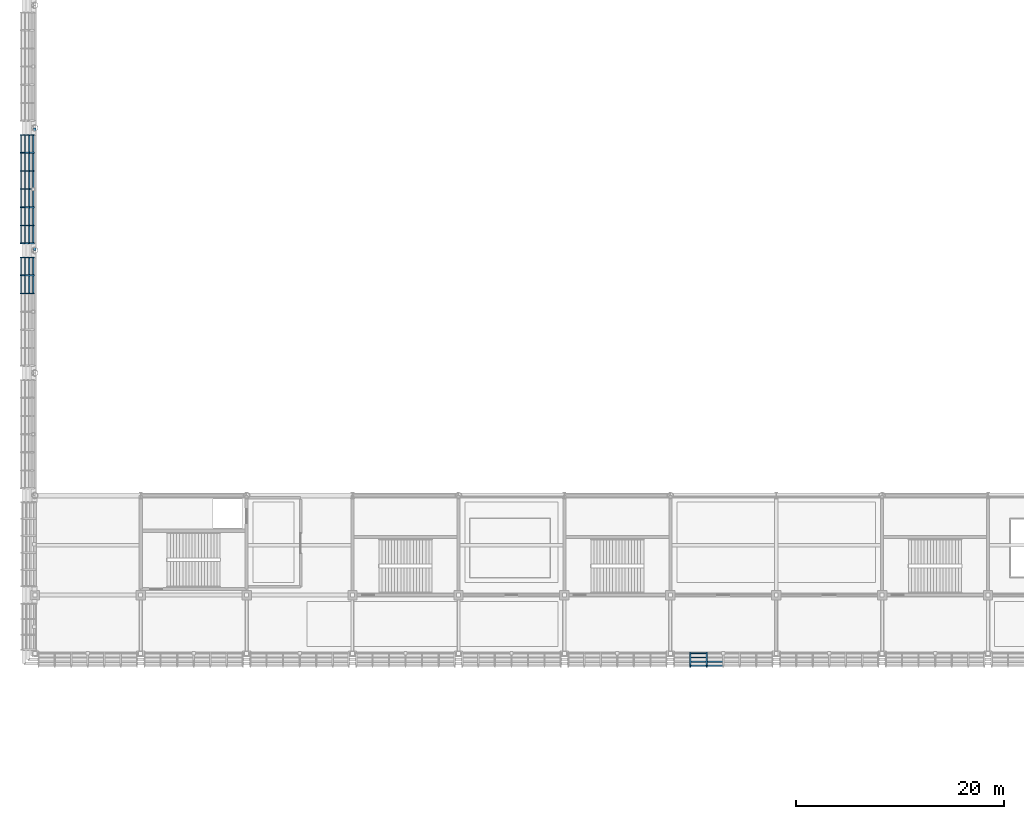
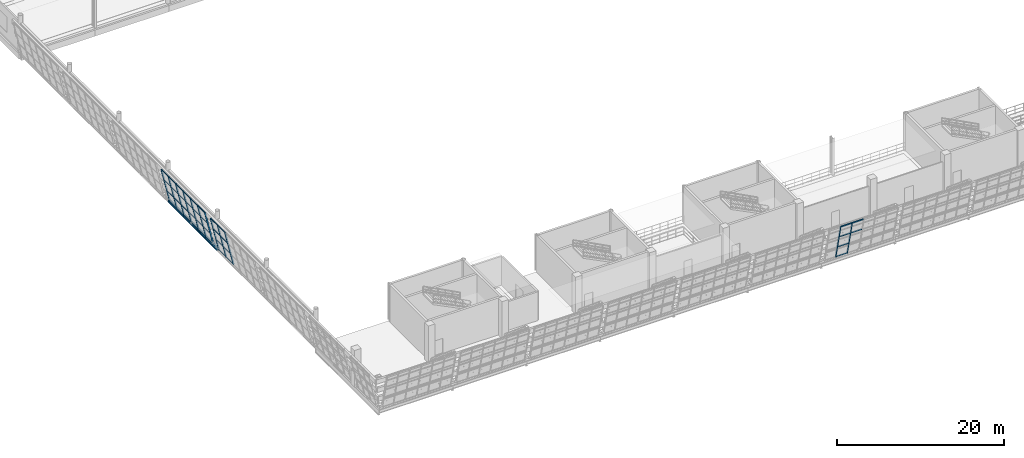
# One storey, part 27 of 175: 50 members, 1 beam, 3 elements without a shape of their own.
"""IFC4 building model written with IfcOpenShell, lengths in metres."""

from ifc_helpers import new_model, si_unit, direction, frame, origin, origin_2d, place, context, subcontext, project, spatial, hollow_rectangle, i_section, extrude, material, material_profile, profile_set, type_object, element, aggregate, save


model = new_model("IFC4")

# Units and contexts
model_context = context("Model", 3, precision=1e-05, world=origin(), true_north=direction((0.0, 1.0)))
body_context = subcontext(model_context, "Body", "Model", "MODEL_VIEW")
ifc_project = project(units=[si_unit("LENGTHUNIT", "METRE"), si_unit("AREAUNIT", "SQUARE_METRE"), si_unit("VOLUMEUNIT", "CUBIC_METRE"), si_unit("PLANEANGLEUNIT", "RADIAN"), si_unit("MASSUNIT", "GRAM", prefix="KILO")], contexts=[model_context])

# Site, building, storey
site_placement = place(None, origin())
site = spatial("IfcSite", under=ifc_project, at=site_placement, CompositionType="ELEMENT")
building_placement = place(site_placement, origin())
building = spatial("IfcBuilding", under=site, at=building_placement, Name="Brelvane Convention Centre", CompositionType="ELEMENT")
storey_placement = place(building_placement, frame((0.0, 0.0, 5.39990234375)))
storey = spatial("IfcBuildingStorey", under=building, at=storey_placement, Name="L01", CompositionType="ELEMENT", Elevation=5.39990234375)

# Curtain wall, members
ifc_material_1 = material(Name="Anodised Aluminium Alloy 6063-T6", Category="aluminium")
curtain_wall_type = type_object("IfcCurtainWallType", Name="Curtain Wall CW-HULL-S", PredefinedType="USERDEFINED", material=ifc_material_1)
curtain_wall_1_placement = place(storey_placement, origin())
curtain_wall_1 = element("IfcCurtainWall", 1, at=curtain_wall_1_placement, inside=storey, type_object=curtain_wall_type, Name="Curtain Wall CW-HULL-S L01-HULL-S-L01-07", ObjectType="UNITISED", PredefinedType="USERDEFINED")
ifc_material_2 = material(Name="Anodised Aluminium Alloy 6063-T6", Category="aluminium")
ifc_material_profile_1 = material_profile(ifc_material_2, hollow_rectangle(XDim=0.080078125, YDim=0.239990234375, WallThickness=0.006103515625, InnerFilletRadius=0.006103515625, OuterFilletRadius=0.011962890625, at=origin_2d()), Name="ALU-M 240x80x6.0")
ifc_profile_set_1 = profile_set([ifc_material_profile_1], Name="Anodised Aluminium Alloy 6063-T6")
member_type_1 = type_object("IfcMemberType", Name="Curtain Mullion CW-M1", PredefinedType="MULLION", material=ifc_profile_set_1)
member_1_placement = place(storey_placement, frame((63.11328125, 13.60009765625, 0.0), z_axis=(0.0, -0.228360162456, 0.973576723326), x_axis=(1.0, 0.0, 0.0)))
member_1 = element("IfcMember", 2, at=member_1_placement, type_object=member_type_1, Name="CW-HULL-S mullion 2", PredefinedType="MULLION", context=body_context, shape_type="SweptSolid", body=[
    extrude(hollow_rectangle(XDim=0.080078125, YDim=0.239990234375, WallThickness=0.006103515625, InnerFilletRadius=0.006103515625, OuterFilletRadius=0.011962890625, at=origin_2d()), origin(), (0.0, 0.0, 1.0), 5.2900390625),
])
member_2_placement = place(storey_placement, frame((64.706787109375, 13.60009765625, 0.0), z_axis=(0.0, -0.228360162456, 0.973576723326), x_axis=(1.0, 0.0, 0.0)))
member_2 = element("IfcMember", 3, at=member_2_placement, type_object=member_type_1, Name="CW-HULL-S mullion 3", PredefinedType="MULLION", context=body_context, shape_type="SweptSolid", body=[
    extrude(hollow_rectangle(XDim=0.080078125, YDim=0.239990234375, WallThickness=0.006103515625, InnerFilletRadius=0.006103515625, OuterFilletRadius=0.011962890625, at=origin_2d()), origin(), (0.0, 0.0, 1.0), 5.2900390625),
])

curtain_wall_2_placement = place(storey_placement, origin())
curtain_wall_2 = element("IfcCurtainWall", 4, at=curtain_wall_2_placement, inside=storey, type_object=curtain_wall_type, Name="Curtain Wall CW-HULL-S L01-HULL-W-L01-2", ObjectType="UNITISED", PredefinedType="USERDEFINED")
ifc_material_3 = material(Name="Anodised Aluminium Alloy 6063-T6", Category="aluminium")
ifc_material_profile_2 = material_profile(ifc_material_3, hollow_rectangle(XDim=0.074951171875, YDim=0.199951171875, WallThickness=0.0048828125, InnerFilletRadius=0.0048828125, OuterFilletRadius=0.010009765625, at=origin_2d()), Name="ALU-M 200x75x5.0")
ifc_profile_set_2 = profile_set([ifc_material_profile_2], Name="Anodised Aluminium Alloy 6063-T6")
member_type_2 = type_object("IfcMemberType", Name="Curtain Mullion CW-M2", PredefinedType="MULLION", material=ifc_profile_set_2)
member_3_placement = place(storey_placement, frame((-0.139892578125, 48.25, 0.02001953125), z_axis=(-0.228384734386, 0.0, 0.973570959458), x_axis=(0.0, -1.0, 0.0)))
member_3 = element("IfcMember", 5, at=member_3_placement, type_object=member_type_2, Name="CW-HULL-S mullion 5", PredefinedType="MULLION", context=body_context, shape_type="SweptSolid", body=[
    extrude(hollow_rectangle(XDim=0.074951171875, YDim=0.199951171875, WallThickness=0.0048828125, InnerFilletRadius=0.0048828125, OuterFilletRadius=0.010009765625, at=origin_2d()), origin(), (0.0, 0.0, 1.0), 5.197509765625),
])
member_4_placement = place(storey_placement, frame((-0.139892578125, 50.0, 0.02001953125), z_axis=(-0.228384734386, 0.0, 0.973570959458), x_axis=(0.0, -1.0, 0.0)))
member_4 = element("IfcMember", 6, at=member_4_placement, type_object=member_type_2, Name="CW-HULL-S mullion 6", PredefinedType="MULLION", context=body_context, shape_type="SweptSolid", body=[
    extrude(hollow_rectangle(XDim=0.074951171875, YDim=0.199951171875, WallThickness=0.0048828125, InnerFilletRadius=0.0048828125, OuterFilletRadius=0.010009765625, at=origin_2d()), origin(), (0.0, 0.0, 1.0), 5.197509765625),
])
member_5_placement = place(storey_placement, frame((-0.139892578125, 51.71240234375, 0.02001953125), z_axis=(-0.228384734386, 0.0, 0.973570959458), x_axis=(0.0, -1.0, 0.0)))
member_5 = element("IfcMember", 7, at=member_5_placement, type_object=member_type_2, Name="CW-HULL-S mullion 7", PredefinedType="MULLION", context=body_context, shape_type="SweptSolid", body=[
    extrude(hollow_rectangle(XDim=0.074951171875, YDim=0.199951171875, WallThickness=0.0048828125, InnerFilletRadius=0.0048828125, OuterFilletRadius=0.010009765625, at=origin_2d()), origin(), (0.0, 0.0, 1.0), 5.197509765625),
])

curtain_wall_3_placement = place(storey_placement, origin())
curtain_wall_3 = element("IfcCurtainWall", 8, at=curtain_wall_3_placement, inside=storey, type_object=curtain_wall_type, Name="Curtain Wall CW-HULL-S L01-HULL-W-L01-3", ObjectType="UNITISED", PredefinedType="USERDEFINED")
member_6_placement = place(storey_placement, frame((-0.139892578125, 53.08740234375, 0.02001953125), z_axis=(-0.228384734386, 0.0, 0.973570959458), x_axis=(0.0, -1.0, 0.0)))
member_6 = element("IfcMember", 9, at=member_6_placement, type_object=member_type_2, Name="CW-HULL-S mullion 1", PredefinedType="MULLION", context=body_context, shape_type="SweptSolid", body=[
    extrude(hollow_rectangle(XDim=0.074951171875, YDim=0.199951171875, WallThickness=0.0048828125, InnerFilletRadius=0.0048828125, OuterFilletRadius=0.010009765625, at=origin_2d()), origin(), (0.0, 0.0, 1.0), 5.197509765625),
])
member_7_placement = place(storey_placement, frame((-0.139892578125, 54.800048828125, 0.02001953125), z_axis=(-0.228384734386, 0.0, 0.973570959458), x_axis=(0.0, -1.0, 0.0)))
member_7 = element("IfcMember", 10, at=member_7_placement, type_object=member_type_2, Name="CW-HULL-S mullion 2", PredefinedType="MULLION", context=body_context, shape_type="SweptSolid", body=[
    extrude(hollow_rectangle(XDim=0.074951171875, YDim=0.199951171875, WallThickness=0.0048828125, InnerFilletRadius=0.0048828125, OuterFilletRadius=0.010009765625, at=origin_2d()), origin(), (0.0, 0.0, 1.0), 5.197509765625),
])
member_8_placement = place(storey_placement, frame((-0.139892578125, 56.550048828125, 0.02001953125), z_axis=(-0.228384734386, 0.0, 0.973570959458), x_axis=(0.0, -1.0, 0.0)))
member_8 = element("IfcMember", 11, at=member_8_placement, type_object=member_type_2, Name="CW-HULL-S mullion 3", PredefinedType="MULLION", context=body_context, shape_type="SweptSolid", body=[
    extrude(hollow_rectangle(XDim=0.074951171875, YDim=0.199951171875, WallThickness=0.0048828125, InnerFilletRadius=0.0048828125, OuterFilletRadius=0.010009765625, at=origin_2d()), origin(), (0.0, 0.0, 1.0), 5.197509765625),
])
member_9_placement = place(storey_placement, frame((-0.139892578125, 58.300048828125, 0.02001953125), z_axis=(-0.228384734386, 0.0, 0.973570959458), x_axis=(0.0, -1.0, 0.0)))
member_9 = element("IfcMember", 12, at=member_9_placement, type_object=member_type_2, Name="CW-HULL-S mullion 4", PredefinedType="MULLION", context=body_context, shape_type="SweptSolid", body=[
    extrude(hollow_rectangle(XDim=0.074951171875, YDim=0.199951171875, WallThickness=0.0048828125, InnerFilletRadius=0.0048828125, OuterFilletRadius=0.010009765625, at=origin_2d()), origin(), (0.0, 0.0, 1.0), 5.197509765625),
])
member_10_placement = place(storey_placement, frame((-0.139892578125, 60.050048828125, 0.02001953125), z_axis=(-0.228384734386, 0.0, 0.973570959458), x_axis=(0.0, -1.0, 0.0)))
member_10 = element("IfcMember", 13, at=member_10_placement, type_object=member_type_2, Name="CW-HULL-S mullion 5", PredefinedType="MULLION", context=body_context, shape_type="SweptSolid", body=[
    extrude(hollow_rectangle(XDim=0.074951171875, YDim=0.199951171875, WallThickness=0.0048828125, InnerFilletRadius=0.0048828125, OuterFilletRadius=0.010009765625, at=origin_2d()), origin(), (0.0, 0.0, 1.0), 5.197509765625),
])
member_11_placement = place(storey_placement, frame((-0.139892578125, 61.800048828125, 0.02001953125), z_axis=(-0.228384734386, 0.0, 0.973570959458), x_axis=(0.0, -1.0, 0.0)))
member_11 = element("IfcMember", 14, at=member_11_placement, type_object=member_type_2, Name="CW-HULL-S mullion 6", PredefinedType="MULLION", context=body_context, shape_type="SweptSolid", body=[
    extrude(hollow_rectangle(XDim=0.074951171875, YDim=0.199951171875, WallThickness=0.0048828125, InnerFilletRadius=0.0048828125, OuterFilletRadius=0.010009765625, at=origin_2d()), origin(), (0.0, 0.0, 1.0), 5.197509765625),
])
member_12_placement = place(storey_placement, frame((-0.139892578125, 63.512451171875, 0.02001953125), z_axis=(-0.228384734386, 0.0, 0.973570959458), x_axis=(0.0, -1.0, 0.0)))
member_12 = element("IfcMember", 15, at=member_12_placement, type_object=member_type_2, Name="CW-HULL-S mullion 7", PredefinedType="MULLION", context=body_context, shape_type="SweptSolid", body=[
    extrude(hollow_rectangle(XDim=0.074951171875, YDim=0.199951171875, WallThickness=0.0048828125, InnerFilletRadius=0.0048828125, OuterFilletRadius=0.010009765625, at=origin_2d()), origin(), (0.0, 0.0, 1.0), 5.197509765625),
])

# Member
ifc_material_4 = material(Name="Anodised Aluminium Alloy 6063-T6", Category="aluminium")
ifc_material_profile_3 = material_profile(ifc_material_4, hollow_rectangle(XDim=0.080078125, YDim=0.179931640625, WallThickness=0.0048828125, InnerFilletRadius=0.0048828125, OuterFilletRadius=0.010009765625, at=origin_2d()), Name="ALU-T 180x80x5.0")
ifc_profile_set_3 = profile_set([ifc_material_profile_3], Name="Anodised Aluminium Alloy 6063-T6")
member_type_3 = type_object("IfcMemberType", Name="Curtain Transom CW-T1", PredefinedType="USERDEFINED", material=ifc_profile_set_3)
member_13_placement = place(storey_placement, frame((63.1533203125, 13.590576171875, 0.0400390625), z_axis=(1.0, 0.0, 0.0), x_axis=(0.0, 1.0, 0.0)))
member_13 = element("IfcMember", 16, at=member_13_placement, type_object=member_type_3, Name="CW-HULL-S transom 2.1", ObjectType="TRANSOM", PredefinedType="USERDEFINED", context=body_context, shape_type="SweptSolid", body=[
    extrude(hollow_rectangle(XDim=0.080078125, YDim=0.179931640625, WallThickness=0.0048828125, InnerFilletRadius=0.0048828125, OuterFilletRadius=0.010009765625, at=origin_2d()), origin(), (0.0, 0.0, 1.0), 1.513427734375),
])

member_14_placement = place(storey_placement, frame((63.1533203125, 13.197265625, 1.716796875), z_axis=(1.0, 0.0, 0.0), x_axis=(0.0, 1.0, 0.0)))
member_14 = element("IfcMember", 17, at=member_14_placement, type_object=member_type_3, Name="CW-HULL-S transom 2.2", ObjectType="TRANSOM", PredefinedType="USERDEFINED", context=body_context, shape_type="SweptSolid", body=[
    extrude(hollow_rectangle(XDim=0.080078125, YDim=0.179931640625, WallThickness=0.0048828125, InnerFilletRadius=0.0048828125, OuterFilletRadius=0.010009765625, at=origin_2d()), origin(), (0.0, 0.0, 1.0), 1.513427734375),
])

member_15_placement = place(storey_placement, frame((63.1533203125, 12.794677734375, 3.433349609375), z_axis=(1.0, 0.0, 0.0), x_axis=(0.0, 1.0, 0.0)))
member_15 = element("IfcMember", 18, at=member_15_placement, type_object=member_type_3, Name="CW-HULL-S transom 2.3", ObjectType="TRANSOM", PredefinedType="USERDEFINED", context=body_context, shape_type="SweptSolid", body=[
    extrude(hollow_rectangle(XDim=0.080078125, YDim=0.179931640625, WallThickness=0.0048828125, InnerFilletRadius=0.0048828125, OuterFilletRadius=0.010009765625, at=origin_2d()), origin(), (0.0, 0.0, 1.0), 1.513427734375),
])

member_16_placement = place(storey_placement, frame((63.1533203125, 12.4013671875, 5.110107421875), z_axis=(1.0, 0.0, 0.0), x_axis=(0.0, 1.0, 0.0)))
member_16 = element("IfcMember", 19, at=member_16_placement, type_object=member_type_3, Name="CW-HULL-S transom 2.4", ObjectType="TRANSOM", PredefinedType="USERDEFINED", context=body_context, shape_type="SweptSolid", body=[
    extrude(hollow_rectangle(XDim=0.080078125, YDim=0.179931640625, WallThickness=0.0048828125, InnerFilletRadius=0.0048828125, OuterFilletRadius=0.010009765625, at=origin_2d()), origin(), (0.0, 0.0, 1.0), 1.513427734375),
])

member_17_placement = place(storey_placement, frame((64.74658203125, 12.794677734375, 3.433349609375), z_axis=(1.0, 0.0, 0.0), x_axis=(0.0, 1.0, 0.0)))
member_17 = element("IfcMember", 20, at=member_17_placement, type_object=member_type_3, Name="CW-HULL-S transom 3.3", ObjectType="TRANSOM", PredefinedType="USERDEFINED", context=body_context, shape_type="SweptSolid", body=[
    extrude(hollow_rectangle(XDim=0.080078125, YDim=0.179931640625, WallThickness=0.0048828125, InnerFilletRadius=0.0048828125, OuterFilletRadius=0.010009765625, at=origin_2d()), origin(), (0.0, 0.0, 1.0), 1.513427734375),
])

member_18_placement = place(storey_placement, frame((64.74658203125, 12.4013671875, 5.110107421875), z_axis=(1.0, 0.0, 0.0), x_axis=(0.0, 1.0, 0.0)))
member_18 = element("IfcMember", 21, at=member_18_placement, type_object=member_type_3, Name="CW-HULL-S transom 3.4", ObjectType="TRANSOM", PredefinedType="USERDEFINED", context=body_context, shape_type="SweptSolid", body=[
    extrude(hollow_rectangle(XDim=0.080078125, YDim=0.179931640625, WallThickness=0.0048828125, InnerFilletRadius=0.0048828125, OuterFilletRadius=0.010009765625, at=origin_2d()), origin(), (0.0, 0.0, 1.0), 1.513427734375),
])

aggregate(curtain_wall_1, [member_1, member_2, member_13, member_14, member_15, member_16, member_17, member_18])

ifc_material_5 = material(Name="Anodised Aluminium Alloy 6063-T6", Category="aluminium")
ifc_material_profile_4 = material_profile(ifc_material_5, hollow_rectangle(XDim=0.070068359375, YDim=0.14990234375, WallThickness=0.00439453125, InnerFilletRadius=0.00439453125, OuterFilletRadius=0.009033203125, at=origin_2d()), Name="ALU-T 150x70x4.5")
ifc_profile_set_4 = profile_set([ifc_material_profile_4], Name="Anodised Aluminium Alloy 6063-T6")
member_type_4 = type_object("IfcMemberType", Name="Curtain Transom CW-T2", PredefinedType="USERDEFINED", material=ifc_profile_set_4)
member_19_placement = place(storey_placement, frame((-0.148193359375, 48.28759765625, 0.05517578125), z_axis=(0.0, 1.0, 0.0), x_axis=(-1.0, 0.0, 0.0)))
member_19 = element("IfcMember", 22, at=member_19_placement, type_object=member_type_4, Name="CW-HULL-S transom 5.1", ObjectType="TRANSOM", PredefinedType="USERDEFINED", context=body_context, shape_type="SweptSolid", body=[
    extrude(hollow_rectangle(XDim=0.070068359375, YDim=0.14990234375, WallThickness=0.00439453125, InnerFilletRadius=0.00439453125, OuterFilletRadius=0.009033203125, at=origin_2d()), origin(), (0.0, 0.0, 1.0), 1.6748046875),
])

member_20_placement = place(storey_placement, frame((-0.53564453125, 48.28759765625, 1.706787109375), z_axis=(0.0, 1.0, 0.0), x_axis=(-1.0, 0.0, 0.0)))
member_20 = element("IfcMember", 23, at=member_20_placement, type_object=member_type_4, Name="CW-HULL-S transom 5.2", ObjectType="TRANSOM", PredefinedType="USERDEFINED", context=body_context, shape_type="SweptSolid", body=[
    extrude(hollow_rectangle(XDim=0.070068359375, YDim=0.14990234375, WallThickness=0.00439453125, InnerFilletRadius=0.00439453125, OuterFilletRadius=0.009033203125, at=origin_2d()), origin(), (0.0, 0.0, 1.0), 1.6748046875),
])

member_21_placement = place(storey_placement, frame((-0.93115234375, 48.28759765625, 3.393310546875), z_axis=(0.0, 1.0, 0.0), x_axis=(-1.0, 0.0, 0.0)))
member_21 = element("IfcMember", 24, at=member_21_placement, type_object=member_type_4, Name="CW-HULL-S transom 5.3", ObjectType="TRANSOM", PredefinedType="USERDEFINED", context=body_context, shape_type="SweptSolid", body=[
    extrude(hollow_rectangle(XDim=0.070068359375, YDim=0.14990234375, WallThickness=0.00439453125, InnerFilletRadius=0.00439453125, OuterFilletRadius=0.009033203125, at=origin_2d()), origin(), (0.0, 0.0, 1.0), 1.6748046875),
])

member_22_placement = place(storey_placement, frame((-1.318603515625, 48.28759765625, 5.045166015625), z_axis=(0.0, 1.0, 0.0), x_axis=(-1.0, 0.0, 0.0)))
member_22 = element("IfcMember", 25, at=member_22_placement, type_object=member_type_4, Name="CW-HULL-S transom 5.4", ObjectType="TRANSOM", PredefinedType="USERDEFINED", context=body_context, shape_type="SweptSolid", body=[
    extrude(hollow_rectangle(XDim=0.070068359375, YDim=0.14990234375, WallThickness=0.00439453125, InnerFilletRadius=0.00439453125, OuterFilletRadius=0.009033203125, at=origin_2d()), origin(), (0.0, 0.0, 1.0), 1.6748046875),
])

member_23_placement = place(storey_placement, frame((-0.148193359375, 50.03759765625, 0.05517578125), z_axis=(0.0, 1.0, 0.0), x_axis=(-1.0, 0.0, 0.0)))
member_23 = element("IfcMember", 26, at=member_23_placement, type_object=member_type_4, Name="CW-HULL-S transom 6.1", ObjectType="TRANSOM", PredefinedType="USERDEFINED", context=body_context, shape_type="SweptSolid", body=[
    extrude(hollow_rectangle(XDim=0.070068359375, YDim=0.14990234375, WallThickness=0.00439453125, InnerFilletRadius=0.00439453125, OuterFilletRadius=0.009033203125, at=origin_2d()), origin(), (0.0, 0.0, 1.0), 1.637451171875),
])

member_24_placement = place(storey_placement, frame((-0.53564453125, 50.03759765625, 1.706787109375), z_axis=(0.0, 1.0, 0.0), x_axis=(-1.0, 0.0, 0.0)))
member_24 = element("IfcMember", 27, at=member_24_placement, type_object=member_type_4, Name="CW-HULL-S transom 6.2", ObjectType="TRANSOM", PredefinedType="USERDEFINED", context=body_context, shape_type="SweptSolid", body=[
    extrude(hollow_rectangle(XDim=0.070068359375, YDim=0.14990234375, WallThickness=0.00439453125, InnerFilletRadius=0.00439453125, OuterFilletRadius=0.009033203125, at=origin_2d()), origin(), (0.0, 0.0, 1.0), 1.637451171875),
])

member_25_placement = place(storey_placement, frame((-0.93115234375, 50.03759765625, 3.393310546875), z_axis=(0.0, 1.0, 0.0), x_axis=(-1.0, 0.0, 0.0)))
member_25 = element("IfcMember", 28, at=member_25_placement, type_object=member_type_4, Name="CW-HULL-S transom 6.3", ObjectType="TRANSOM", PredefinedType="USERDEFINED", context=body_context, shape_type="SweptSolid", body=[
    extrude(hollow_rectangle(XDim=0.070068359375, YDim=0.14990234375, WallThickness=0.00439453125, InnerFilletRadius=0.00439453125, OuterFilletRadius=0.009033203125, at=origin_2d()), origin(), (0.0, 0.0, 1.0), 1.637451171875),
])

member_26_placement = place(storey_placement, frame((-1.318603515625, 50.03759765625, 5.045166015625), z_axis=(0.0, 1.0, 0.0), x_axis=(-1.0, 0.0, 0.0)))
member_26 = element("IfcMember", 29, at=member_26_placement, type_object=member_type_4, Name="CW-HULL-S transom 6.4", ObjectType="TRANSOM", PredefinedType="USERDEFINED", context=body_context, shape_type="SweptSolid", body=[
    extrude(hollow_rectangle(XDim=0.070068359375, YDim=0.14990234375, WallThickness=0.00439453125, InnerFilletRadius=0.00439453125, OuterFilletRadius=0.009033203125, at=origin_2d()), origin(), (0.0, 0.0, 1.0), 1.637451171875),
])

aggregate(curtain_wall_2, [member_3, member_4, member_5, member_19, member_20, member_21, member_22, member_23, member_24, member_25, member_26])

member_27_placement = place(storey_placement, frame((-0.148193359375, 53.125, 0.05517578125), z_axis=(0.0, 1.0, 0.0), x_axis=(-1.0, 0.0, 0.0)))
member_27 = element("IfcMember", 30, at=member_27_placement, type_object=member_type_4, Name="CW-HULL-S transom 1.1", ObjectType="TRANSOM", PredefinedType="USERDEFINED", context=body_context, shape_type="SweptSolid", body=[
    extrude(hollow_rectangle(XDim=0.070068359375, YDim=0.14990234375, WallThickness=0.00439453125, InnerFilletRadius=0.00439453125, OuterFilletRadius=0.009033203125, at=origin_2d()), origin(), (0.0, 0.0, 1.0), 1.637451171875),
])

member_28_placement = place(storey_placement, frame((-0.53564453125, 53.125, 1.706787109375), z_axis=(0.0, 1.0, 0.0), x_axis=(-1.0, 0.0, 0.0)))
member_28 = element("IfcMember", 31, at=member_28_placement, type_object=member_type_4, Name="CW-HULL-S transom 1.2", ObjectType="TRANSOM", PredefinedType="USERDEFINED", context=body_context, shape_type="SweptSolid", body=[
    extrude(hollow_rectangle(XDim=0.070068359375, YDim=0.14990234375, WallThickness=0.00439453125, InnerFilletRadius=0.00439453125, OuterFilletRadius=0.009033203125, at=origin_2d()), origin(), (0.0, 0.0, 1.0), 1.637451171875),
])

member_29_placement = place(storey_placement, frame((-0.93115234375, 53.125, 3.393310546875), z_axis=(0.0, 1.0, 0.0), x_axis=(-1.0, 0.0, 0.0)))
member_29 = element("IfcMember", 32, at=member_29_placement, type_object=member_type_4, Name="CW-HULL-S transom 1.3", ObjectType="TRANSOM", PredefinedType="USERDEFINED", context=body_context, shape_type="SweptSolid", body=[
    extrude(hollow_rectangle(XDim=0.070068359375, YDim=0.14990234375, WallThickness=0.00439453125, InnerFilletRadius=0.00439453125, OuterFilletRadius=0.009033203125, at=origin_2d()), origin(), (0.0, 0.0, 1.0), 1.637451171875),
])

member_30_placement = place(storey_placement, frame((-1.318603515625, 53.125, 5.045166015625), z_axis=(0.0, 1.0, 0.0), x_axis=(-1.0, 0.0, 0.0)))
member_30 = element("IfcMember", 33, at=member_30_placement, type_object=member_type_4, Name="CW-HULL-S transom 1.4", ObjectType="TRANSOM", PredefinedType="USERDEFINED", context=body_context, shape_type="SweptSolid", body=[
    extrude(hollow_rectangle(XDim=0.070068359375, YDim=0.14990234375, WallThickness=0.00439453125, InnerFilletRadius=0.00439453125, OuterFilletRadius=0.009033203125, at=origin_2d()), origin(), (0.0, 0.0, 1.0), 1.637451171875),
])

member_31_placement = place(storey_placement, frame((-0.148193359375, 54.83740234375, 0.05517578125), z_axis=(0.0, 1.0, 0.0), x_axis=(-1.0, 0.0, 0.0)))
member_31 = element("IfcMember", 34, at=member_31_placement, type_object=member_type_4, Name="CW-HULL-S transom 2.1", ObjectType="TRANSOM", PredefinedType="USERDEFINED", context=body_context, shape_type="SweptSolid", body=[
    extrude(hollow_rectangle(XDim=0.070068359375, YDim=0.14990234375, WallThickness=0.00439453125, InnerFilletRadius=0.00439453125, OuterFilletRadius=0.009033203125, at=origin_2d()), origin(), (0.0, 0.0, 1.0), 1.675048828125),
])

member_32_placement = place(storey_placement, frame((-0.53564453125, 54.83740234375, 1.706787109375), z_axis=(0.0, 1.0, 0.0), x_axis=(-1.0, 0.0, 0.0)))
member_32 = element("IfcMember", 35, at=member_32_placement, type_object=member_type_4, Name="CW-HULL-S transom 2.2", ObjectType="TRANSOM", PredefinedType="USERDEFINED", context=body_context, shape_type="SweptSolid", body=[
    extrude(hollow_rectangle(XDim=0.070068359375, YDim=0.14990234375, WallThickness=0.00439453125, InnerFilletRadius=0.00439453125, OuterFilletRadius=0.009033203125, at=origin_2d()), origin(), (0.0, 0.0, 1.0), 1.675048828125),
])

member_33_placement = place(storey_placement, frame((-0.93115234375, 54.83740234375, 3.393310546875), z_axis=(0.0, 1.0, 0.0), x_axis=(-1.0, 0.0, 0.0)))
member_33 = element("IfcMember", 36, at=member_33_placement, type_object=member_type_4, Name="CW-HULL-S transom 2.3", ObjectType="TRANSOM", PredefinedType="USERDEFINED", context=body_context, shape_type="SweptSolid", body=[
    extrude(hollow_rectangle(XDim=0.070068359375, YDim=0.14990234375, WallThickness=0.00439453125, InnerFilletRadius=0.00439453125, OuterFilletRadius=0.009033203125, at=origin_2d()), origin(), (0.0, 0.0, 1.0), 1.675048828125),
])

member_34_placement = place(storey_placement, frame((-1.318603515625, 54.83740234375, 5.045166015625), z_axis=(0.0, 1.0, 0.0), x_axis=(-1.0, 0.0, 0.0)))
member_34 = element("IfcMember", 37, at=member_34_placement, type_object=member_type_4, Name="CW-HULL-S transom 2.4", ObjectType="TRANSOM", PredefinedType="USERDEFINED", context=body_context, shape_type="SweptSolid", body=[
    extrude(hollow_rectangle(XDim=0.070068359375, YDim=0.14990234375, WallThickness=0.00439453125, InnerFilletRadius=0.00439453125, OuterFilletRadius=0.009033203125, at=origin_2d()), origin(), (0.0, 0.0, 1.0), 1.675048828125),
])

member_35_placement = place(storey_placement, frame((-0.148193359375, 56.58740234375, 0.05517578125), z_axis=(0.0, 1.0, 0.0), x_axis=(-1.0, 0.0, 0.0)))
member_35 = element("IfcMember", 38, at=member_35_placement, type_object=member_type_4, Name="CW-HULL-S transom 3.1", ObjectType="TRANSOM", PredefinedType="USERDEFINED", context=body_context, shape_type="SweptSolid", body=[
    extrude(hollow_rectangle(XDim=0.070068359375, YDim=0.14990234375, WallThickness=0.00439453125, InnerFilletRadius=0.00439453125, OuterFilletRadius=0.009033203125, at=origin_2d()), origin(), (0.0, 0.0, 1.0), 1.675048828125),
])

member_36_placement = place(storey_placement, frame((-0.53564453125, 56.58740234375, 1.706787109375), z_axis=(0.0, 1.0, 0.0), x_axis=(-1.0, 0.0, 0.0)))
member_36 = element("IfcMember", 39, at=member_36_placement, type_object=member_type_4, Name="CW-HULL-S transom 3.2", ObjectType="TRANSOM", PredefinedType="USERDEFINED", context=body_context, shape_type="SweptSolid", body=[
    extrude(hollow_rectangle(XDim=0.070068359375, YDim=0.14990234375, WallThickness=0.00439453125, InnerFilletRadius=0.00439453125, OuterFilletRadius=0.009033203125, at=origin_2d()), origin(), (0.0, 0.0, 1.0), 1.675048828125),
])

member_37_placement = place(storey_placement, frame((-0.93115234375, 56.58740234375, 3.393310546875), z_axis=(0.0, 1.0, 0.0), x_axis=(-1.0, 0.0, 0.0)))
member_37 = element("IfcMember", 40, at=member_37_placement, type_object=member_type_4, Name="CW-HULL-S transom 3.3", ObjectType="TRANSOM", PredefinedType="USERDEFINED", context=body_context, shape_type="SweptSolid", body=[
    extrude(hollow_rectangle(XDim=0.070068359375, YDim=0.14990234375, WallThickness=0.00439453125, InnerFilletRadius=0.00439453125, OuterFilletRadius=0.009033203125, at=origin_2d()), origin(), (0.0, 0.0, 1.0), 1.675048828125),
])

member_38_placement = place(storey_placement, frame((-1.318603515625, 56.58740234375, 5.045166015625), z_axis=(0.0, 1.0, 0.0), x_axis=(-1.0, 0.0, 0.0)))
member_38 = element("IfcMember", 41, at=member_38_placement, type_object=member_type_4, Name="CW-HULL-S transom 3.4", ObjectType="TRANSOM", PredefinedType="USERDEFINED", context=body_context, shape_type="SweptSolid", body=[
    extrude(hollow_rectangle(XDim=0.070068359375, YDim=0.14990234375, WallThickness=0.00439453125, InnerFilletRadius=0.00439453125, OuterFilletRadius=0.009033203125, at=origin_2d()), origin(), (0.0, 0.0, 1.0), 1.675048828125),
])

member_39_placement = place(storey_placement, frame((-0.148193359375, 58.33740234375, 0.05517578125), z_axis=(0.0, 1.0, 0.0), x_axis=(-1.0, 0.0, 0.0)))
member_39 = element("IfcMember", 42, at=member_39_placement, type_object=member_type_4, Name="CW-HULL-S transom 4.1", ObjectType="TRANSOM", PredefinedType="USERDEFINED", context=body_context, shape_type="SweptSolid", body=[
    extrude(hollow_rectangle(XDim=0.070068359375, YDim=0.14990234375, WallThickness=0.00439453125, InnerFilletRadius=0.00439453125, OuterFilletRadius=0.009033203125, at=origin_2d()), origin(), (0.0, 0.0, 1.0), 1.675048828125),
])

member_40_placement = place(storey_placement, frame((-0.53564453125, 58.33740234375, 1.706787109375), z_axis=(0.0, 1.0, 0.0), x_axis=(-1.0, 0.0, 0.0)))
member_40 = element("IfcMember", 43, at=member_40_placement, type_object=member_type_4, Name="CW-HULL-S transom 4.2", ObjectType="TRANSOM", PredefinedType="USERDEFINED", context=body_context, shape_type="SweptSolid", body=[
    extrude(hollow_rectangle(XDim=0.070068359375, YDim=0.14990234375, WallThickness=0.00439453125, InnerFilletRadius=0.00439453125, OuterFilletRadius=0.009033203125, at=origin_2d()), origin(), (0.0, 0.0, 1.0), 1.675048828125),
])

member_41_placement = place(storey_placement, frame((-0.93115234375, 58.33740234375, 3.393310546875), z_axis=(0.0, 1.0, 0.0), x_axis=(-1.0, 0.0, 0.0)))
member_41 = element("IfcMember", 44, at=member_41_placement, type_object=member_type_4, Name="CW-HULL-S transom 4.3", ObjectType="TRANSOM", PredefinedType="USERDEFINED", context=body_context, shape_type="SweptSolid", body=[
    extrude(hollow_rectangle(XDim=0.070068359375, YDim=0.14990234375, WallThickness=0.00439453125, InnerFilletRadius=0.00439453125, OuterFilletRadius=0.009033203125, at=origin_2d()), origin(), (0.0, 0.0, 1.0), 1.675048828125),
])

member_42_placement = place(storey_placement, frame((-1.318603515625, 58.33740234375, 5.045166015625), z_axis=(0.0, 1.0, 0.0), x_axis=(-1.0, 0.0, 0.0)))
member_42 = element("IfcMember", 45, at=member_42_placement, type_object=member_type_4, Name="CW-HULL-S transom 4.4", ObjectType="TRANSOM", PredefinedType="USERDEFINED", context=body_context, shape_type="SweptSolid", body=[
    extrude(hollow_rectangle(XDim=0.070068359375, YDim=0.14990234375, WallThickness=0.00439453125, InnerFilletRadius=0.00439453125, OuterFilletRadius=0.009033203125, at=origin_2d()), origin(), (0.0, 0.0, 1.0), 1.675048828125),
])

member_43_placement = place(storey_placement, frame((-0.148193359375, 60.08740234375, 0.05517578125), z_axis=(0.0, 1.0, 0.0), x_axis=(-1.0, 0.0, 0.0)))
member_43 = element("IfcMember", 46, at=member_43_placement, type_object=member_type_4, Name="CW-HULL-S transom 5.1", ObjectType="TRANSOM", PredefinedType="USERDEFINED", context=body_context, shape_type="SweptSolid", body=[
    extrude(hollow_rectangle(XDim=0.070068359375, YDim=0.14990234375, WallThickness=0.00439453125, InnerFilletRadius=0.00439453125, OuterFilletRadius=0.009033203125, at=origin_2d()), origin(), (0.0, 0.0, 1.0), 1.675048828125),
])

member_44_placement = place(storey_placement, frame((-0.53564453125, 60.08740234375, 1.706787109375), z_axis=(0.0, 1.0, 0.0), x_axis=(-1.0, 0.0, 0.0)))
member_44 = element("IfcMember", 47, at=member_44_placement, type_object=member_type_4, Name="CW-HULL-S transom 5.2", ObjectType="TRANSOM", PredefinedType="USERDEFINED", context=body_context, shape_type="SweptSolid", body=[
    extrude(hollow_rectangle(XDim=0.070068359375, YDim=0.14990234375, WallThickness=0.00439453125, InnerFilletRadius=0.00439453125, OuterFilletRadius=0.009033203125, at=origin_2d()), origin(), (0.0, 0.0, 1.0), 1.675048828125),
])

member_45_placement = place(storey_placement, frame((-0.93115234375, 60.08740234375, 3.393310546875), z_axis=(0.0, 1.0, 0.0), x_axis=(-1.0, 0.0, 0.0)))
member_45 = element("IfcMember", 48, at=member_45_placement, type_object=member_type_4, Name="CW-HULL-S transom 5.3", ObjectType="TRANSOM", PredefinedType="USERDEFINED", context=body_context, shape_type="SweptSolid", body=[
    extrude(hollow_rectangle(XDim=0.070068359375, YDim=0.14990234375, WallThickness=0.00439453125, InnerFilletRadius=0.00439453125, OuterFilletRadius=0.009033203125, at=origin_2d()), origin(), (0.0, 0.0, 1.0), 1.675048828125),
])

member_46_placement = place(storey_placement, frame((-1.318603515625, 60.08740234375, 5.045166015625), z_axis=(0.0, 1.0, 0.0), x_axis=(-1.0, 0.0, 0.0)))
member_46 = element("IfcMember", 49, at=member_46_placement, type_object=member_type_4, Name="CW-HULL-S transom 5.4", ObjectType="TRANSOM", PredefinedType="USERDEFINED", context=body_context, shape_type="SweptSolid", body=[
    extrude(hollow_rectangle(XDim=0.070068359375, YDim=0.14990234375, WallThickness=0.00439453125, InnerFilletRadius=0.00439453125, OuterFilletRadius=0.009033203125, at=origin_2d()), origin(), (0.0, 0.0, 1.0), 1.675048828125),
])

member_47_placement = place(storey_placement, frame((-0.148193359375, 61.83740234375, 0.05517578125), z_axis=(0.0, 1.0, 0.0), x_axis=(-1.0, 0.0, 0.0)))
member_47 = element("IfcMember", 50, at=member_47_placement, type_object=member_type_4, Name="CW-HULL-S transom 6.1", ObjectType="TRANSOM", PredefinedType="USERDEFINED", context=body_context, shape_type="SweptSolid", body=[
    extrude(hollow_rectangle(XDim=0.070068359375, YDim=0.14990234375, WallThickness=0.00439453125, InnerFilletRadius=0.00439453125, OuterFilletRadius=0.009033203125, at=origin_2d()), origin(), (0.0, 0.0, 1.0), 1.6376953125),
])

member_48_placement = place(storey_placement, frame((-0.53564453125, 61.83740234375, 1.706787109375), z_axis=(0.0, 1.0, 0.0), x_axis=(-1.0, 0.0, 0.0)))
member_48 = element("IfcMember", 51, at=member_48_placement, type_object=member_type_4, Name="CW-HULL-S transom 6.2", ObjectType="TRANSOM", PredefinedType="USERDEFINED", context=body_context, shape_type="SweptSolid", body=[
    extrude(hollow_rectangle(XDim=0.070068359375, YDim=0.14990234375, WallThickness=0.00439453125, InnerFilletRadius=0.00439453125, OuterFilletRadius=0.009033203125, at=origin_2d()), origin(), (0.0, 0.0, 1.0), 1.6376953125),
])

member_49_placement = place(storey_placement, frame((-0.93115234375, 61.83740234375, 3.393310546875), z_axis=(0.0, 1.0, 0.0), x_axis=(-1.0, 0.0, 0.0)))
member_49 = element("IfcMember", 52, at=member_49_placement, type_object=member_type_4, Name="CW-HULL-S transom 6.3", ObjectType="TRANSOM", PredefinedType="USERDEFINED", context=body_context, shape_type="SweptSolid", body=[
    extrude(hollow_rectangle(XDim=0.070068359375, YDim=0.14990234375, WallThickness=0.00439453125, InnerFilletRadius=0.00439453125, OuterFilletRadius=0.009033203125, at=origin_2d()), origin(), (0.0, 0.0, 1.0), 1.6376953125),
])

member_50_placement = place(storey_placement, frame((-1.318603515625, 61.83740234375, 5.045166015625), z_axis=(0.0, 1.0, 0.0), x_axis=(-1.0, 0.0, 0.0)))
member_50 = element("IfcMember", 53, at=member_50_placement, type_object=member_type_4, Name="CW-HULL-S transom 6.4", ObjectType="TRANSOM", PredefinedType="USERDEFINED", context=body_context, shape_type="SweptSolid", body=[
    extrude(hollow_rectangle(XDim=0.070068359375, YDim=0.14990234375, WallThickness=0.00439453125, InnerFilletRadius=0.00439453125, OuterFilletRadius=0.009033203125, at=origin_2d()), origin(), (0.0, 0.0, 1.0), 1.6376953125),
])

aggregate(curtain_wall_3, [member_6, member_7, member_8, member_9, member_10, member_11, member_12, member_27, member_28, member_29, member_30, member_31, member_32, member_33, member_34, member_35, member_36, member_37, member_38, member_39, member_40, member_41, member_42, member_43, member_44, member_45, member_46, member_47, member_48, member_49, member_50])

# Beam
ifc_material_6 = material(Name="Steel E350 (350 MPa)", Category="steel")
ifc_material_profile_5 = material_profile(ifc_material_6, i_section(OverallWidth=0.25, OverallDepth=0.5, WebThickness=0.010009765625, FlangeThickness=0.0146484375, FilletRadius=0.01611328125, at=origin_2d()), Name="ISWB 500")
ifc_profile_set_5 = profile_set([ifc_material_profile_5], Name="Steel E350 (350 MPa)")
beam_type = type_object("IfcBeamType", Name="Steel Spandrel SP-ST1 (ISWB 500)", PredefinedType="SPANDREL", material=ifc_profile_set_5)
beam_placement = place(storey_placement, frame((0.0, 52.39990234375, -0.25), z_axis=(0.0, 1.0, 0.0), x_axis=(-1.0, 0.0, 0.0)))
element("IfcBeam", 54, at=beam_placement, inside=storey, type_object=beam_type, Name="West Hull Wall Girt L01-3", PredefinedType="SPANDREL", context=body_context, shape_type="SweptSolid", body=[
    extrude(i_section(OverallWidth=0.25, OverallDepth=0.5, WebThickness=0.010009765625, FlangeThickness=0.0146484375, FilletRadius=0.01611328125, at=origin_2d()), origin(), (0.0, 0.0, 1.0), 11.800048828125),
])

save(model, "model.ifc")
